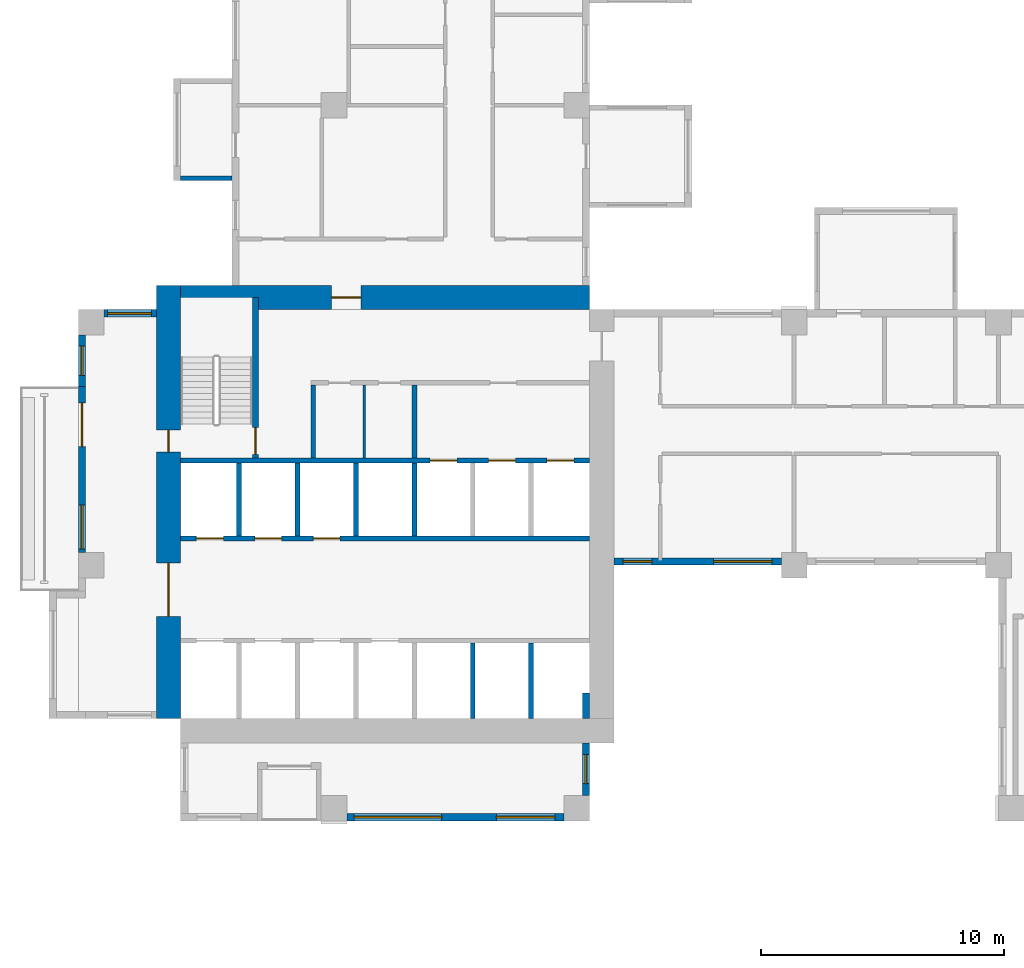
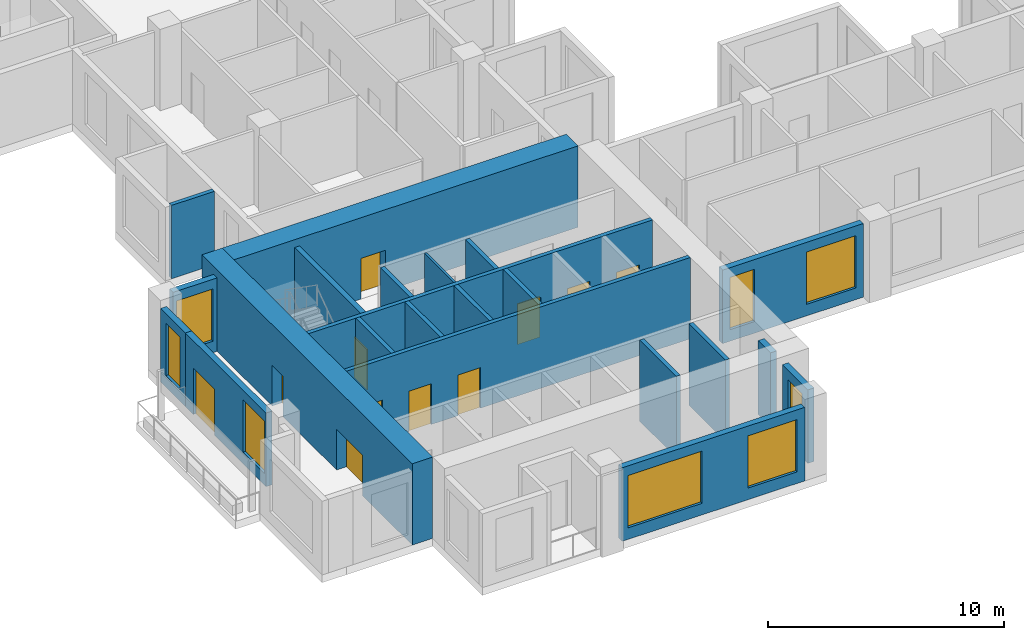
# One storey, part 2 of 14: 22 walls, 11 doors, 8 windows, 19 openings.
"""IFC4 building model written with IfcOpenShell, lengths in metres."""

from ifc_helpers import new_model, si_unit, direction, frame, frame_2d, origin, place, context, subcontext, project, spatial, rectangle, extrude, source, transform, mapped, material, layer, layer_set, type_object, element, fill, save


model = new_model("IFC4")

# Units and contexts
model_context = context("Model", 3, precision=1e-05, world=origin(), true_north=direction((0.0, 1.0)))
body_context = subcontext(model_context, "Body", "Model", "MODEL_VIEW")
ifc_project = project(units=[si_unit("LENGTHUNIT", "METRE"), si_unit("AREAUNIT", "SQUARE_METRE"), si_unit("VOLUMEUNIT", "CUBIC_METRE"), si_unit("PLANEANGLEUNIT", "RADIAN"), si_unit("MASSUNIT", "GRAM", prefix="KILO")], contexts=[model_context])

# Site, building, storey
site_placement = place(None, origin())
site = spatial("IfcSite", under=ifc_project, at=site_placement, CompositionType="ELEMENT")
building_placement = place(site_placement, origin())
building = spatial("IfcBuilding", under=site, at=building_placement, Name="Aurelian Terraces", CompositionType="ELEMENT")
storey_placement = place(building_placement, frame((0.0, 0.0, 149.7)))
storey = spatial("IfcBuildingStorey", under=building, at=storey_placement, Name="L33", CompositionType="ELEMENT", Elevation=149.7)

# Wall, openings, doors
ifc_material_1 = material(Name="Concrete fc' 83 MPa", Category="concrete")
ifc_layer_1 = layer(ifc_material_1, 1.0)
ifc_layer_set_1 = layer_set([ifc_layer_1], Name="CORE WALL 1000 FC83")
wall_type_1 = type_object("IfcWallType", Name="CORE WALL 1000 FC83", PredefinedType="SHEAR", material=ifc_layer_set_1)
shared_shape_1 = source(origin(), body_context, "Body", "SweptSolid", [
    extrude(rectangle(XDim=17.8, YDim=1.0, at=frame_2d((8.9, 0.0))), origin(), (0.0, 0.0, 1.0), 4.2),
])
wall_1_placement = place(storey_placement, frame((3.7, 4.2, 0.0), z_axis=(0.0, 0.0, 1.0), x_axis=(0.0, 1.0, 0.0)))
wall_1 = element("IfcWall", 1, at=wall_1_placement, inside=storey, type_object=wall_type_1, Name="Core wall W L33", PredefinedType="SHEAR", context=body_context, shape_type="MappedRepresentation", body=[
    mapped(shared_shape_1, transform((0.0, 0.0, 0.0), scale=1.0)),
])
shared_shape_2 = source(origin(), body_context, "Body", "SweptSolid", [
    extrude(rectangle(XDim=2.2, YDim=2.1, at=frame_2d((1.1, 1.05))), frame((0.0, 0.51, 0.0), z_axis=(0.0, -1.0, 0.0), x_axis=(1.0, 0.0, 0.0)), (0.0, 0.0, 1.0), 1.02),
])
opening_1_placement = place(wall_1_placement, frame((4.2, 0.0, 0.0)))
opening_1 = element("IfcOpeningElement", 2, at=opening_1_placement, cuts=wall_1, Name="Opening 63620", PredefinedType="OPENING", context=body_context, shape_type="MappedRepresentation", body=[
    mapped(shared_shape_2, transform((0.0, 0.0, 0.0), scale=1.0)),
])
shared_shape_3 = source(origin(), body_context, "Body", "SweptSolid", [
    extrude(rectangle(XDim=0.9, YDim=2.1, at=frame_2d((0.45, 1.05))), frame((0.0, 0.51, 0.0), z_axis=(0.0, -1.0, 0.0), x_axis=(1.0, 0.0, 0.0)), (0.0, 0.0, 1.0), 1.02),
])
opening_2_placement = place(wall_1_placement, frame((10.95, 0.0, 0.0)))
opening_2 = element("IfcOpeningElement", 3, at=opening_2_placement, cuts=wall_1, Name="Opening 63623", PredefinedType="OPENING", context=body_context, shape_type="MappedRepresentation", body=[
    mapped(shared_shape_3, transform((0.0, 0.0, 0.0), scale=1.0)),
])
ifc_material_2 = material(Name="Steel door leaf", Category="steel")
door_type_1 = type_object("IfcDoorType", Name="Core service door 900x2100 right", OperationType="SINGLE_SWING_RIGHT", PredefinedType="DOOR", material=ifc_material_2)
shared_shape_4 = source(origin(), body_context, "Body", "SweptSolid", [
    extrude(rectangle(XDim=0.9, YDim=2.1, at=frame_2d((0.45, 1.05))), frame((0.0, 0.025, 0.0), z_axis=(0.0, -1.0, 0.0), x_axis=(1.0, 0.0, 0.0)), (0.0, 0.0, 1.0), 0.05),
])
door_1_placement = place(opening_2_placement, origin())
door_1 = element("IfcDoor", 4, at=door_1_placement, inside=storey, type_object=door_type_1, Name="Core door 63623", OperationType="SINGLE_SWING_RIGHT", OverallHeight=2.1, OverallWidth=0.9, PredefinedType="DOOR", context=body_context, shape_type="MappedRepresentation", body=[
    mapped(shared_shape_4, transform((0.0, 0.0, 0.0), scale=1.0)),
])
fill(opening_2, door_1)
door_type_2 = type_object("IfcDoorType", Name="Core double door 2200x2100", OperationType="DOUBLE_DOOR_SINGLE_SWING", PredefinedType="DOOR", material=ifc_material_2)
shared_shape_5 = source(origin(), body_context, "Body", "SweptSolid", [
    extrude(rectangle(XDim=2.2, YDim=2.1, at=frame_2d((1.1, 1.05))), frame((0.0, 0.025, 0.0), z_axis=(0.0, -1.0, 0.0), x_axis=(1.0, 0.0, 0.0)), (0.0, 0.0, 1.0), 0.05),
])
door_2_placement = place(opening_1_placement, origin())
door_2 = element("IfcDoor", 5, at=door_2_placement, inside=storey, type_object=door_type_2, Name="Core door 63620", OperationType="DOUBLE_DOOR_SINGLE_SWING", OverallHeight=2.1, OverallWidth=2.2, PredefinedType="DOOR", context=body_context, shape_type="MappedRepresentation", body=[
    mapped(shared_shape_5, transform((0.0, 0.0, 0.0), scale=1.0)),
])
fill(opening_1, door_2)

# Wall, opening, door
shared_shape_6 = source(origin(), body_context, "Body", "SweptSolid", [
    extrude(rectangle(XDim=16.8, YDim=1.0, at=frame_2d((8.4, 0.0))), origin(), (0.0, 0.0, 1.0), 4.2),
])
wall_2_placement = place(storey_placement, frame((4.2, 21.5, 0.0), z_axis=(0.0, 0.0, 1.0), x_axis=(1.0, 0.0, 0.0)))
wall_2 = element("IfcWall", 6, at=wall_2_placement, inside=storey, type_object=wall_type_1, Name="Core wall N L33", PredefinedType="SHEAR", context=body_context, shape_type="MappedRepresentation", body=[
    mapped(shared_shape_6, transform((0.0, 0.0, 0.0), scale=1.0)),
])
shared_shape_7 = source(origin(), body_context, "Body", "SweptSolid", [
    extrude(rectangle(XDim=1.2, YDim=2.1, at=frame_2d((0.6, 1.05))), frame((0.0, 0.51, 0.0), z_axis=(0.0, -1.0, 0.0), x_axis=(1.0, 0.0, 0.0)), (0.0, 0.0, 1.0), 1.02),
])
opening_3_placement = place(wall_2_placement, frame((6.2, 0.0, 0.0)))
opening_3 = element("IfcOpeningElement", 7, at=opening_3_placement, cuts=wall_2, Name="Opening 63621", PredefinedType="OPENING", context=body_context, shape_type="MappedRepresentation", body=[
    mapped(shared_shape_7, transform((0.0, 0.0, 0.0), scale=1.0)),
])
door_type_3 = type_object("IfcDoorType", Name="Core fire door 1200x2100 right", OperationType="SINGLE_SWING_RIGHT", PredefinedType="DOOR", material=ifc_material_2)
shared_shape_8 = source(origin(), body_context, "Body", "SweptSolid", [
    extrude(rectangle(XDim=1.2, YDim=2.1, at=frame_2d((0.6, 1.05))), frame((0.0, 0.025, 0.0), z_axis=(0.0, -1.0, 0.0), x_axis=(1.0, 0.0, 0.0)), (0.0, 0.0, 1.0), 0.05),
])
door_3_placement = place(opening_3_placement, origin())
door_3 = element("IfcDoor", 8, at=door_3_placement, inside=storey, type_object=door_type_3, Name="Core door 63621", OperationType="SINGLE_SWING_RIGHT", OverallHeight=2.1, OverallWidth=1.2, PredefinedType="DOOR", context=body_context, shape_type="MappedRepresentation", body=[
    mapped(shared_shape_8, transform((0.0, 0.0, 0.0), scale=1.0)),
])
fill(opening_3, door_3)

# Wall
ifc_material_3 = material(Name="Terracotta rainscreen cladding", Category="masonry")
ifc_layer_2 = layer(ifc_material_3, 0.3)
ifc_layer_set_2 = layer_set([ifc_layer_2], Name="EW-300")
wall_type_2 = type_object("IfcWallType", Name="EW-300", PredefinedType="STANDARD", material=ifc_layer_set_2)
shared_shape_9 = source(origin(), body_context, "Body", "SweptSolid", [
    extrude(rectangle(XDim=1.05, YDim=0.3, at=frame_2d((0.525, 0.0))), origin(), (0.0, 0.0, 1.0), 3.8),
])
wall_3_placement = place(storey_placement, frame((20.85, 4.2, 0.0), z_axis=(0.0, 0.0, 1.0), x_axis=(0.0, 1.0, 0.0)))
element("IfcWall", 9, at=wall_3_placement, inside=storey, type_object=wall_type_2, Name="External wall L33 F02.4", PredefinedType="STANDARD", context=body_context, shape_type="MappedRepresentation", body=[
    mapped(shared_shape_9, transform((0.0, 0.0, 0.0), scale=1.0)),
])

# Wall, openings, windows
shared_shape_10 = source(origin(), body_context, "Body", "SweptSolid", [
    extrude(rectangle(XDim=8.925, YDim=0.3, at=frame_2d((4.4625, 0.0))), origin(), (0.0, 0.0, 1.0), 3.8),
])
wall_4_placement = place(storey_placement, frame((11.025, 0.15, 0.0), z_axis=(0.0, 0.0, 1.0), x_axis=(1.0, 0.0, 0.0)))
wall_4 = element("IfcWall", 10, at=wall_4_placement, inside=storey, type_object=wall_type_2, Name="External wall L33 F01.3", PredefinedType="STANDARD", context=body_context, shape_type="MappedRepresentation", body=[
    mapped(shared_shape_10, transform((0.0, 0.0, 0.0), scale=1.0)),
])
shared_shape_11 = source(origin(), body_context, "Body", "SweptSolid", [
    extrude(rectangle(XDim=3.6, YDim=2.7, at=frame_2d((1.8, 1.35))), frame((0.0, 0.16, 0.0), z_axis=(0.0, -1.0, 0.0), x_axis=(1.0, 0.0, 0.0)), (0.0, 0.0, 1.0), 0.32),
])
opening_4_placement = place(wall_4_placement, frame((0.3, 0.0, 0.6)))
opening_4 = element("IfcOpeningElement", 11, at=opening_4_placement, cuts=wall_4, Name="Opening W3627", PredefinedType="OPENING", context=body_context, shape_type="MappedRepresentation", body=[
    mapped(shared_shape_11, transform((0.0, 0.0, 0.0), scale=1.0)),
])
shared_shape_12 = source(origin(), body_context, "Body", "SweptSolid", [
    extrude(rectangle(XDim=2.4, YDim=2.7, at=frame_2d((1.2, 1.35))), frame((0.0, 0.16, 0.0), z_axis=(0.0, -1.0, 0.0), x_axis=(1.0, 0.0, 0.0)), (0.0, 0.0, 1.0), 0.32),
])
opening_5_placement = place(wall_4_placement, frame((6.15, 0.0, 0.6)))
opening_5 = element("IfcOpeningElement", 12, at=opening_5_placement, cuts=wall_4, Name="Opening W2427", PredefinedType="OPENING", context=body_context, shape_type="MappedRepresentation", body=[
    mapped(shared_shape_12, transform((0.0, 0.0, 0.0), scale=1.0)),
])
ifc_material_4 = material(Name="Clear glazing", Category="glass")
window_type_1 = type_object("IfcWindowType", Name="W-3600x2700", PartitioningType="SINGLE_PANEL", PredefinedType="WINDOW", material=ifc_material_4)
shared_shape_13 = source(origin(), body_context, "Body", "SweptSolid", [
    extrude(rectangle(XDim=3.6, YDim=2.7, at=frame_2d((1.8, 1.35))), frame((0.0, 0.03, 0.0), z_axis=(0.0, -1.0, 0.0), x_axis=(1.0, 0.0, 0.0)), (0.0, 0.0, 1.0), 0.06),
])
window_1_placement = place(opening_4_placement, origin())
window_1 = element("IfcWindow", 13, at=window_1_placement, inside=storey, type_object=window_type_1, Name="Window L33 L33-F01-03-0", OverallHeight=2.7, OverallWidth=3.6, PartitioningType="SINGLE_PANEL", PredefinedType="WINDOW", context=body_context, shape_type="MappedRepresentation", body=[
    mapped(shared_shape_13, transform((0.0, 0.0, 0.0), scale=1.0)),
])
fill(opening_4, window_1)
window_type_2 = type_object("IfcWindowType", Name="W-2400x2700", PartitioningType="SINGLE_PANEL", PredefinedType="WINDOW", material=ifc_material_4)
shared_shape_14 = source(origin(), body_context, "Body", "SweptSolid", [
    extrude(rectangle(XDim=2.4, YDim=2.7, at=frame_2d((1.2, 1.35))), frame((0.0, 0.03, 0.0), z_axis=(0.0, -1.0, 0.0), x_axis=(1.0, 0.0, 0.0)), (0.0, 0.0, 1.0), 0.06),
])
window_2_placement = place(opening_5_placement, origin())
window_2 = element("IfcWindow", 14, at=window_2_placement, inside=storey, type_object=window_type_2, Name="Window L33 L33-F01-03-1", OverallHeight=2.7, OverallWidth=2.4, PartitioningType="SINGLE_PANEL", PredefinedType="WINDOW", context=body_context, shape_type="MappedRepresentation", body=[
    mapped(shared_shape_14, transform((0.0, 0.0, 0.0), scale=1.0)),
])
fill(opening_5, window_2)

shared_shape_15 = source(origin(), body_context, "Body", "SweptSolid", [
    extrude(rectangle(XDim=6.875, YDim=0.3, at=frame_2d((3.4375, 0.0))), origin(), (0.0, 0.0, 1.0), 3.8),
])
wall_5_placement = place(storey_placement, frame((22.0, 10.65, 0.0), z_axis=(0.0, 0.0, 1.0), x_axis=(1.0, 0.0, 0.0)))
wall_5 = element("IfcWall", 15, at=wall_5_placement, inside=storey, type_object=wall_type_2, Name="External wall L33 F03.6", PredefinedType="STANDARD", context=body_context, shape_type="MappedRepresentation", body=[
    mapped(shared_shape_15, transform((0.0, 0.0, 0.0), scale=1.0)),
])
shared_shape_16 = source(origin(), body_context, "Body", "SweptSolid", [
    extrude(rectangle(XDim=1.2, YDim=2.7, at=frame_2d((0.6, 1.35))), frame((0.0, 0.16, 0.0), z_axis=(0.0, -1.0, 0.0), x_axis=(1.0, 0.0, 0.0)), (0.0, 0.0, 1.0), 0.32),
])
opening_6_placement = place(wall_5_placement, frame((0.3625, 0.0, 0.6)))
opening_6 = element("IfcOpeningElement", 16, at=opening_6_placement, cuts=wall_5, Name="Opening W1227", PredefinedType="OPENING", context=body_context, shape_type="MappedRepresentation", body=[
    mapped(shared_shape_16, transform((0.0, 0.0, 0.0), scale=1.0)),
])
opening_7_placement = place(wall_5_placement, frame((4.1, 0.0, 0.6)))
opening_7 = element("IfcOpeningElement", 17, at=opening_7_placement, cuts=wall_5, Name="Opening W2427", PredefinedType="OPENING", context=body_context, shape_type="MappedRepresentation", body=[
    mapped(shared_shape_12, transform((0.0, 0.0, 0.0), scale=1.0)),
])
window_3_placement = place(opening_7_placement, origin())
window_3 = element("IfcWindow", 18, at=window_3_placement, inside=storey, type_object=window_type_2, Name="Window L33 L33-F03-06-1", OverallHeight=2.7, OverallWidth=2.4, PartitioningType="SINGLE_PANEL", PredefinedType="WINDOW", context=body_context, shape_type="MappedRepresentation", body=[
    mapped(shared_shape_14, transform((0.0, 0.0, 0.0), scale=1.0)),
])
fill(opening_7, window_3)
window_type_3 = type_object("IfcWindowType", Name="W-1200x2700", PartitioningType="SINGLE_PANEL", PredefinedType="WINDOW", material=ifc_material_4)
shared_shape_17 = source(origin(), body_context, "Body", "SweptSolid", [
    extrude(rectangle(XDim=1.2, YDim=2.7, at=frame_2d((0.6, 1.35))), frame((0.0, 0.03, 0.0), z_axis=(0.0, -1.0, 0.0), x_axis=(1.0, 0.0, 0.0)), (0.0, 0.0, 1.0), 0.06),
])
window_4_placement = place(opening_6_placement, origin())
window_4 = element("IfcWindow", 19, at=window_4_placement, inside=storey, type_object=window_type_3, Name="Window L33 L33-F03-06-0", OverallHeight=2.7, OverallWidth=1.2, PartitioningType="SINGLE_PANEL", PredefinedType="WINDOW", context=body_context, shape_type="MappedRepresentation", body=[
    mapped(shared_shape_17, transform((0.0, 0.0, 0.0), scale=1.0)),
])
fill(opening_6, window_4)

# Wall, opening, window
shared_shape_18 = source(origin(), body_context, "Body", "SweptSolid", [
    extrude(rectangle(XDim=2.15, YDim=0.3, at=frame_2d((1.075, 0.0))), origin(), (0.0, 0.0, 1.0), 3.8),
])
wall_6_placement = place(storey_placement, frame((20.85, 1.05, 0.0), z_axis=(0.0, 0.0, 1.0), x_axis=(0.0, 1.0, 0.0)))
wall_6 = element("IfcWall", 20, at=wall_6_placement, inside=storey, type_object=wall_type_2, Name="External wall L33 F02.4", PredefinedType="STANDARD", context=body_context, shape_type="MappedRepresentation", body=[
    mapped(shared_shape_18, transform((0.0, 0.0, 0.0), scale=1.0)),
])
opening_8_placement = place(wall_6_placement, frame((0.475, 0.0, 0.6)))
opening_8 = element("IfcOpeningElement", 21, at=opening_8_placement, cuts=wall_6, Name="Opening W1227", PredefinedType="OPENING", context=body_context, shape_type="MappedRepresentation", body=[
    mapped(shared_shape_16, transform((0.0, 0.0, 0.0), scale=1.0)),
])
window_5_placement = place(opening_8_placement, origin())
window_5 = element("IfcWindow", 22, at=window_5_placement, inside=storey, type_object=window_type_3, Name="Window L33 L33-F02-04-P0", OverallHeight=2.7, OverallWidth=1.2, PartitioningType="SINGLE_PANEL", PredefinedType="WINDOW", context=body_context, shape_type="MappedRepresentation", body=[
    mapped(shared_shape_17, transform((0.0, 0.0, 0.0), scale=1.0)),
])
fill(opening_8, window_5)

wall_7_placement = place(storey_placement, frame((3.2, 20.85, 0.0), z_axis=(0.0, 0.0, 1.0), x_axis=(-1.0, 0.0, 0.0)))
wall_7 = element("IfcWall", 23, at=wall_7_placement, inside=storey, type_object=wall_type_2, Name="External wall L33 F23.39", PredefinedType="STANDARD", context=body_context, shape_type="MappedRepresentation", body=[
    mapped(shared_shape_18, transform((0.0, 0.0, 0.0), scale=1.0)),
])
shared_shape_19 = source(origin(), body_context, "Body", "SweptSolid", [
    extrude(rectangle(XDim=1.8, YDim=2.7, at=frame_2d((0.9, 1.35))), frame((0.0, 0.16, 0.0), z_axis=(0.0, -1.0, 0.0), x_axis=(1.0, 0.0, 0.0)), (0.0, 0.0, 1.0), 0.32),
])
opening_9_placement = place(wall_7_placement, frame((0.2, 0.0, 0.6)))
opening_9 = element("IfcOpeningElement", 24, at=opening_9_placement, cuts=wall_7, Name="Opening W1827", PredefinedType="OPENING", context=body_context, shape_type="MappedRepresentation", body=[
    mapped(shared_shape_19, transform((0.0, 0.0, 0.0), scale=1.0)),
])
window_type_4 = type_object("IfcWindowType", Name="W-1800x2700", PartitioningType="SINGLE_PANEL", PredefinedType="WINDOW", material=ifc_material_4)
shared_shape_20 = source(origin(), body_context, "Body", "SweptSolid", [
    extrude(rectangle(XDim=1.8, YDim=2.7, at=frame_2d((0.9, 1.35))), frame((0.0, 0.03, 0.0), z_axis=(0.0, -1.0, 0.0), x_axis=(1.0, 0.0, 0.0)), (0.0, 0.0, 1.0), 0.06),
])
window_6_placement = place(opening_9_placement, origin())
window_6 = element("IfcWindow", 25, at=window_6_placement, inside=storey, type_object=window_type_4, Name="Window L33 L33-F23-39-0", OverallHeight=2.7, OverallWidth=1.8, PartitioningType="SINGLE_PANEL", PredefinedType="WINDOW", context=body_context, shape_type="MappedRepresentation", body=[
    mapped(shared_shape_20, transform((0.0, 0.0, 0.0), scale=1.0)),
])
fill(opening_9, window_6)

shared_shape_21 = source(origin(), body_context, "Body", "SweptSolid", [
    extrude(rectangle(XDim=2.1, YDim=0.3, at=frame_2d((1.05, 0.0))), origin(), (0.0, 0.0, 1.0), 3.8),
])
wall_8_placement = place(storey_placement, frame((0.15, 19.95, 0.0), z_axis=(0.0, 0.0, 1.0), x_axis=(0.0, -1.0, 0.0)))
wall_8 = element("IfcWall", 26, at=wall_8_placement, inside=storey, type_object=wall_type_2, Name="External wall L33 F24.40", PredefinedType="STANDARD", context=body_context, shape_type="MappedRepresentation", body=[
    mapped(shared_shape_21, transform((0.0, 0.0, 0.0), scale=1.0)),
])
opening_10_placement = place(wall_8_placement, frame((0.45, 0.0, 0.6)))
opening_10 = element("IfcOpeningElement", 27, at=opening_10_placement, cuts=wall_8, Name="Opening W1227", PredefinedType="OPENING", context=body_context, shape_type="MappedRepresentation", body=[
    mapped(shared_shape_16, transform((0.0, 0.0, 0.0), scale=1.0)),
])
window_7_placement = place(opening_10_placement, origin())
window_7 = element("IfcWindow", 28, at=window_7_placement, inside=storey, type_object=window_type_3, Name="Window L33 L33-F24-40-P0", OverallHeight=2.7, OverallWidth=1.2, PartitioningType="SINGLE_PANEL", PredefinedType="WINDOW", context=body_context, shape_type="MappedRepresentation", body=[
    mapped(shared_shape_17, transform((0.0, 0.0, 0.0), scale=1.0)),
])
fill(opening_10, window_7)

# Wall, openings, door, window
shared_shape_22 = source(origin(), body_context, "Body", "SweptSolid", [
    extrude(rectangle(XDim=6.825, YDim=0.3, at=frame_2d((3.4125, 0.0))), origin(), (0.0, 0.0, 1.0), 3.8),
])
wall_9_placement = place(storey_placement, frame((0.15, 17.85, 0.0), z_axis=(0.0, 0.0, 1.0), x_axis=(0.0, -1.0, 0.0)))
wall_9 = element("IfcWall", 29, at=wall_9_placement, inside=storey, type_object=wall_type_2, Name="External wall L33 F24.41", PredefinedType="STANDARD", context=body_context, shape_type="MappedRepresentation", body=[
    mapped(shared_shape_22, transform((0.0, 0.0, 0.0), scale=1.0)),
])
shared_shape_23 = source(origin(), body_context, "Body", "SweptSolid", [
    extrude(rectangle(XDim=1.8, YDim=2.4, at=frame_2d((0.9, 1.2))), frame((0.0, 0.16, 0.0), z_axis=(0.0, -1.0, 0.0), x_axis=(1.0, 0.0, 0.0)), (0.0, 0.0, 1.0), 0.32),
])
opening_11_placement = place(wall_9_placement, frame((0.675, 0.0, 0.0)))
opening_11 = element("IfcOpeningElement", 30, at=opening_11_placement, cuts=wall_9, Name="Opening 83302", PredefinedType="OPENING", context=body_context, shape_type="MappedRepresentation", body=[
    mapped(shared_shape_23, transform((0.0, 0.0, 0.0), scale=1.0)),
])
opening_12_placement = place(wall_9_placement, frame((4.875, 0.0, 0.6)))
opening_12 = element("IfcOpeningElement", 31, at=opening_12_placement, cuts=wall_9, Name="Opening W1827", PredefinedType="OPENING", context=body_context, shape_type="MappedRepresentation", body=[
    mapped(shared_shape_19, transform((0.0, 0.0, 0.0), scale=1.0)),
])
door_type_4 = type_object("IfcDoorType", Name="BD-1800x2400", OperationType="SLIDING_TO_LEFT", PredefinedType="DOOR", material=ifc_material_4)
shared_shape_24 = source(origin(), body_context, "Body", "SweptSolid", [
    extrude(rectangle(XDim=1.8, YDim=2.4, at=frame_2d((0.9, 1.2))), frame((0.0, 0.025, 0.0), z_axis=(0.0, -1.0, 0.0), x_axis=(1.0, 0.0, 0.0)), (0.0, 0.0, 1.0), 0.05),
])
door_4_placement = place(opening_11_placement, origin())
door_4 = element("IfcDoor", 32, at=door_4_placement, inside=storey, type_object=door_type_4, Name="Balcony door L33 F24.41", OperationType="SLIDING_TO_LEFT", OverallHeight=2.4, OverallWidth=1.8, PredefinedType="DOOR", context=body_context, shape_type="MappedRepresentation", body=[
    mapped(shared_shape_24, transform((0.0, 0.0, 0.0), scale=1.0)),
])
fill(opening_11, door_4)
window_8_placement = place(opening_12_placement, origin())
window_8 = element("IfcWindow", 33, at=window_8_placement, inside=storey, type_object=window_type_4, Name="Window L33 L33-F24-41-1", OverallHeight=2.7, OverallWidth=1.8, PartitioningType="SINGLE_PANEL", PredefinedType="WINDOW", context=body_context, shape_type="MappedRepresentation", body=[
    mapped(shared_shape_20, transform((0.0, 0.0, 0.0), scale=1.0)),
])
fill(opening_12, window_8)

# Walls
ifc_material_5 = material(Name="Concrete fc' 40 MPa", Category="concrete")
ifc_layer_3 = layer(ifc_material_5, 0.2)
ifc_layer_set_3 = layer_set([ifc_layer_3], Name="BOX BEARING WALL 200")
wall_type_3 = type_object("IfcWallType", Name="BOX BEARING WALL 200", PredefinedType="SOLIDWALL", material=ifc_layer_set_3)
shared_shape_25 = source(origin(), body_context, "Body", "SweptSolid", [
    extrude(rectangle(XDim=2.1, YDim=0.2, at=frame_2d((1.05, 0.0))), origin(), (0.0, 0.0, 1.0), 3.79),
])
wall_10_placement = place(storey_placement, frame((6.3, 26.4, 0.0), z_axis=(0.0, 0.0, 1.0), x_axis=(-1.0, 0.0, 0.0)))
element("IfcWall", 34, at=wall_10_placement, inside=storey, type_object=wall_type_3, Name="Box return L33 J50.2", PredefinedType="SOLIDWALL", context=body_context, shape_type="MappedRepresentation", body=[
    mapped(shared_shape_25, transform((0.0, 0.0, 0.0), scale=1.0)),
])
ifc_layer_4 = layer(ifc_material_5, 0.2)
ifc_layer_set_4 = layer_set([ifc_layer_4], Name="Lift shaft wall 200")
wall_type_4 = type_object("IfcWallType", Name="Lift shaft wall 200", PredefinedType="SOLIDWALL", material=ifc_layer_set_4)
shared_shape_26 = source(origin(), body_context, "Body", "SweptSolid", [
    extrude(rectangle(XDim=3.1, YDim=0.2, at=frame_2d((1.55, 0.0))), origin(), (0.0, 0.0, 1.0), 4.2),
])
for number, where, z_axis, x_axis, name in (
    (35, (16.2, 4.2, 0.0), (0.0, 0.0, 1.0), (0.0, 1.0, 0.0), "L33 core wall CD-A5"),
    (36, (18.6, 4.2, 0.0), (0.0, 0.0, 1.0), (0.0, 1.0, 0.0), "L33 core wall CD-A6"),
):
    element("IfcWall", number, at=place(storey_placement, frame(where, z_axis=z_axis, x_axis=x_axis)), inside=storey, type_object=wall_type_4, Name=name, PredefinedType="SOLIDWALL", context=body_context, shape_type="MappedRepresentation", body=[
        mapped(shared_shape_26, transform((0.0, 0.0, 0.0), scale=1.0)),
    ])
shared_shape_27 = source(origin(), body_context, "Body", "SweptSolid", [
    extrude(rectangle(XDim=3.0, YDim=0.2, at=frame_2d((1.5, 0.0))), origin(), (0.0, 0.0, 1.0), 4.2),
])
for number, where, z_axis, x_axis, name in (
    (37, (6.6, 11.7, 0.0), (0.0, 0.0, 1.0), (0.0, 1.0, 0.0), "L33 core wall CD-B1"),
    (38, (9.0, 11.7, 0.0), (0.0, 0.0, 1.0), (0.0, 1.0, 0.0), "L33 core wall CD-B2"),
    (39, (11.4, 11.7, 0.0), (0.0, 0.0, 1.0), (0.0, 1.0, 0.0), "L33 core wall CD-B3"),
    (40, (13.8, 11.7, 0.0), (0.0, 0.0, 1.0), (0.0, 1.0, 0.0), "L33 core wall CD-B4"),
):
    element("IfcWall", number, at=place(storey_placement, frame(where, z_axis=z_axis, x_axis=x_axis)), inside=storey, type_object=wall_type_4, Name=name, PredefinedType="SOLIDWALL", context=body_context, shape_type="MappedRepresentation", body=[
        mapped(shared_shape_27, transform((0.0, 0.0, 0.0), scale=1.0)),
    ])

# Wall, openings, doors
shared_shape_28 = source(origin(), body_context, "Body", "SweptSolid", [
    extrude(rectangle(XDim=16.8, YDim=0.2, at=frame_2d((8.4, 0.0))), origin(), (0.0, 0.0, 1.0), 4.2),
])
wall_11_placement = place(storey_placement, frame((4.2, 11.6, 0.0), z_axis=(0.0, 0.0, 1.0), x_axis=(1.0, 0.0, 0.0)))
wall_11 = element("IfcWall", 41, at=wall_11_placement, inside=storey, type_object=wall_type_4, Name="L33 core wall CF-BF1", PredefinedType="SOLIDWALL", context=body_context, shape_type="MappedRepresentation", body=[
    mapped(shared_shape_28, transform((0.0, 0.0, 0.0), scale=1.0)),
])
shared_shape_29 = source(origin(), body_context, "Body", "SweptSolid", [
    extrude(rectangle(XDim=1.1, YDim=2.1, at=frame_2d((0.55, 1.05))), frame((0.0, 0.11, 0.0), z_axis=(0.0, -1.0, 0.0), x_axis=(1.0, 0.0, 0.0)), (0.0, 0.0, 1.0), 0.22),
])
opening_13_placement = place(wall_11_placement, frame((0.65, 0.0, 0.0)))
opening_13 = element("IfcOpeningElement", 42, at=opening_13_placement, cuts=wall_11, Name="Opening 63604", PredefinedType="OPENING", context=body_context, shape_type="MappedRepresentation", body=[
    mapped(shared_shape_29, transform((0.0, 0.0, 0.0), scale=1.0)),
])
opening_14_placement = place(wall_11_placement, frame((3.05, 0.0, 0.0)))
opening_14 = element("IfcOpeningElement", 43, at=opening_14_placement, cuts=wall_11, Name="Opening 63605", PredefinedType="OPENING", context=body_context, shape_type="MappedRepresentation", body=[
    mapped(shared_shape_29, transform((0.0, 0.0, 0.0), scale=1.0)),
])
opening_15_placement = place(wall_11_placement, frame((5.45, 0.0, 0.0)))
opening_15 = element("IfcOpeningElement", 44, at=opening_15_placement, cuts=wall_11, Name="Opening 63606", PredefinedType="OPENING", context=body_context, shape_type="MappedRepresentation", body=[
    mapped(shared_shape_29, transform((0.0, 0.0, 0.0), scale=1.0)),
])
ifc_material_6 = material(Name="Stainless steel", Category="steel")
door_type_5 = type_object("IfcDoorType", Name="Lift landing door 1100x2100", OperationType="SLIDING_TO_LEFT", PredefinedType="DOOR", material=ifc_material_6)
shared_shape_30 = source(origin(), body_context, "Body", "SweptSolid", [
    extrude(rectangle(XDim=1.1, YDim=2.1, at=frame_2d((0.55, 1.05))), frame((0.0, 0.025, 0.0), z_axis=(0.0, -1.0, 0.0), x_axis=(1.0, 0.0, 0.0)), (0.0, 0.0, 1.0), 0.05),
])
door_5_placement = place(opening_13_placement, origin())
door_5 = element("IfcDoor", 45, at=door_5_placement, inside=storey, type_object=door_type_5, Name="Lift landing door LL5 L33", OperationType="SLIDING_TO_LEFT", OverallHeight=2.1, OverallWidth=1.1, PredefinedType="DOOR", context=body_context, shape_type="MappedRepresentation", body=[
    mapped(shared_shape_30, transform((0.0, 0.0, 0.0), scale=1.0)),
])
fill(opening_13, door_5)
door_6_placement = place(opening_14_placement, origin())
door_6 = element("IfcDoor", 46, at=door_6_placement, inside=storey, type_object=door_type_5, Name="Lift landing door LL6 L33", OperationType="SLIDING_TO_LEFT", OverallHeight=2.1, OverallWidth=1.1, PredefinedType="DOOR", context=body_context, shape_type="MappedRepresentation", body=[
    mapped(shared_shape_30, transform((0.0, 0.0, 0.0), scale=1.0)),
])
fill(opening_14, door_6)
door_7_placement = place(opening_15_placement, origin())
door_7 = element("IfcDoor", 47, at=door_7_placement, inside=storey, type_object=door_type_5, Name="Lift landing door LL7 L33", OperationType="SLIDING_TO_LEFT", OverallHeight=2.1, OverallWidth=1.1, PredefinedType="DOOR", context=body_context, shape_type="MappedRepresentation", body=[
    mapped(shared_shape_30, transform((0.0, 0.0, 0.0), scale=1.0)),
])
fill(opening_15, door_7)

wall_12_placement = place(storey_placement, frame((4.2, 14.8, 0.0), z_axis=(0.0, 0.0, 1.0), x_axis=(1.0, 0.0, 0.0)))
wall_12 = element("IfcWall", 48, at=wall_12_placement, inside=storey, type_object=wall_type_4, Name="L33 core wall CF-BB1", PredefinedType="SOLIDWALL", context=body_context, shape_type="MappedRepresentation", body=[
    mapped(shared_shape_28, transform((0.0, 0.0, 0.0), scale=1.0)),
])
opening_16_placement = place(wall_12_placement, frame((10.25, 0.0, 0.0)))
opening_16 = element("IfcOpeningElement", 49, at=opening_16_placement, cuts=wall_12, Name="Opening 63607", PredefinedType="OPENING", context=body_context, shape_type="MappedRepresentation", body=[
    mapped(shared_shape_29, transform((0.0, 0.0, 0.0), scale=1.0)),
])
opening_17_placement = place(wall_12_placement, frame((12.65, 0.0, 0.0)))
opening_17 = element("IfcOpeningElement", 50, at=opening_17_placement, cuts=wall_12, Name="Opening 63608", PredefinedType="OPENING", context=body_context, shape_type="MappedRepresentation", body=[
    mapped(shared_shape_29, transform((0.0, 0.0, 0.0), scale=1.0)),
])
opening_18_placement = place(wall_12_placement, frame((15.05, 0.0, 0.0)))
opening_18 = element("IfcOpeningElement", 51, at=opening_18_placement, cuts=wall_12, Name="Opening 63609", PredefinedType="OPENING", context=body_context, shape_type="MappedRepresentation", body=[
    mapped(shared_shape_29, transform((0.0, 0.0, 0.0), scale=1.0)),
])
door_8_placement = place(opening_16_placement, origin())
door_8 = element("IfcDoor", 52, at=door_8_placement, inside=storey, type_object=door_type_5, Name="Lift landing door F1 L33", OperationType="SLIDING_TO_LEFT", OverallHeight=2.1, OverallWidth=1.1, PredefinedType="DOOR", context=body_context, shape_type="MappedRepresentation", body=[
    mapped(shared_shape_30, transform((0.0, 0.0, 0.0), scale=1.0)),
])
fill(opening_16, door_8)
door_9_placement = place(opening_17_placement, origin())
door_9 = element("IfcDoor", 53, at=door_9_placement, inside=storey, type_object=door_type_5, Name="Lift landing door F2 L33", OperationType="SLIDING_TO_LEFT", OverallHeight=2.1, OverallWidth=1.1, PredefinedType="DOOR", context=body_context, shape_type="MappedRepresentation", body=[
    mapped(shared_shape_30, transform((0.0, 0.0, 0.0), scale=1.0)),
])
fill(opening_17, door_9)
door_10_placement = place(opening_18_placement, origin())
door_10 = element("IfcDoor", 54, at=door_10_placement, inside=storey, type_object=door_type_5, Name="Lift landing door F3 L33", OperationType="SLIDING_TO_LEFT", OverallHeight=2.1, OverallWidth=1.1, PredefinedType="DOOR", context=body_context, shape_type="MappedRepresentation", body=[
    mapped(shared_shape_30, transform((0.0, 0.0, 0.0), scale=1.0)),
])
fill(opening_18, door_10)

# Walls
ifc_material_7 = material(Name="Gypsum board on steel studs", Category="steel")
ifc_layer_5 = layer(ifc_material_7, 0.2)
ifc_layer_set_5 = layer_set([ifc_layer_5], Name="Core partition 200")
wall_type_5 = type_object("IfcWallType", Name="Core partition 200", PredefinedType="PARTITIONING", material=ifc_layer_set_5)
shared_shape_31 = source(origin(), body_context, "Body", "SweptSolid", [
    extrude(rectangle(XDim=3.0, YDim=0.2, at=frame_2d((1.5, 0.0))), origin(), (0.0, 0.0, 1.0), 3.8),
])
for number, where, z_axis, x_axis, name in (
    (55, (9.65, 14.9, 0.0), (0.0, 0.0, 1.0), (0.0, 1.0, 0.0), "L33 core wall CP-VEST"),
    (56, (13.8, 14.9, 0.0), (0.0, 0.0, 1.0), (0.0, 1.0, 0.0), "L33 core wall CP-FFL"),
):
    element("IfcWall", number, at=place(storey_placement, frame(where, z_axis=z_axis, x_axis=x_axis)), inside=storey, type_object=wall_type_5, Name=name, PredefinedType="PARTITIONING", context=body_context, shape_type="MappedRepresentation", body=[
        mapped(shared_shape_31, transform((0.0, 0.0, 0.0), scale=1.0)),
    ])
ifc_layer_6 = layer(ifc_material_7, 0.1)
ifc_layer_set_6 = layer_set([ifc_layer_6], Name="Core partition 100")
wall_type_6 = type_object("IfcWallType", Name="Core partition 100", PredefinedType="PARTITIONING", material=ifc_layer_set_6)
shared_shape_32 = source(origin(), body_context, "Body", "SweptSolid", [
    extrude(rectangle(XDim=3.0, YDim=0.1, at=frame_2d((1.5, 0.0))), origin(), (0.0, 0.0, 1.0), 3.8),
])
wall_13_placement = place(storey_placement, frame((11.75, 14.9, 0.0), z_axis=(0.0, 0.0, 1.0), x_axis=(0.0, 1.0, 0.0)))
element("IfcWall", 57, at=wall_13_placement, inside=storey, type_object=wall_type_6, Name="L33 core wall CP-SV1", PredefinedType="PARTITIONING", context=body_context, shape_type="MappedRepresentation", body=[
    mapped(shared_shape_32, transform((0.0, 0.0, 0.0), scale=1.0)),
])

# Wall, opening, door
ifc_layer_7 = layer(ifc_material_5, 0.25)
ifc_layer_set_7 = layer_set([ifc_layer_7], Name="Stair enclosure wall 250")
wall_type_7 = type_object("IfcWallType", Name="Stair enclosure wall 250", PredefinedType="SOLIDWALL", material=ifc_layer_set_7)
shared_shape_33 = source(origin(), body_context, "Body", "SweptSolid", [
    extrude(rectangle(XDim=6.6, YDim=0.25, at=frame_2d((3.3, 0.0))), origin(), (0.0, 0.0, 1.0), 3.8),
])
wall_14_placement = place(storey_placement, frame((7.275, 14.9, 0.0), z_axis=(0.0, 0.0, 1.0), x_axis=(0.0, 1.0, 0.0)))
wall_14 = element("IfcWall", 58, at=wall_14_placement, inside=storey, type_object=wall_type_7, Name="L33 core wall ST-S1-E", PredefinedType="SOLIDWALL", context=body_context, shape_type="MappedRepresentation", body=[
    mapped(shared_shape_33, transform((0.0, 0.0, 0.0), scale=1.0)),
])
shared_shape_34 = source(origin(), body_context, "Body", "SweptSolid", [
    extrude(rectangle(XDim=1.1, YDim=2.1, at=frame_2d((0.55, 1.05))), frame((0.0, 0.135, 0.0), z_axis=(0.0, -1.0, 0.0), x_axis=(1.0, 0.0, 0.0)), (0.0, 0.0, 1.0), 0.27),
])
opening_19_placement = place(wall_14_placement, frame((0.15, 0.0, 0.0)))
opening_19 = element("IfcOpeningElement", 59, at=opening_19_placement, cuts=wall_14, Name="Opening 63610", PredefinedType="OPENING", context=body_context, shape_type="MappedRepresentation", body=[
    mapped(shared_shape_34, transform((0.0, 0.0, 0.0), scale=1.0)),
])
door_type_6 = type_object("IfcDoorType", Name="Core fire door 1100x2100", OperationType="SINGLE_SWING_LEFT", PredefinedType="DOOR", material=ifc_material_2)
door_11_placement = place(opening_19_placement, origin())
door_11 = element("IfcDoor", 60, at=door_11_placement, inside=storey, type_object=door_type_6, Name="Stair door 63610", OperationType="SINGLE_SWING_LEFT", OverallHeight=2.1, OverallWidth=1.1, PredefinedType="DOOR", context=body_context, shape_type="MappedRepresentation", body=[
    mapped(shared_shape_30, transform((0.0, 0.0, 0.0), scale=1.0)),
])
fill(opening_19, door_11)

save(model, "model.ifc")
